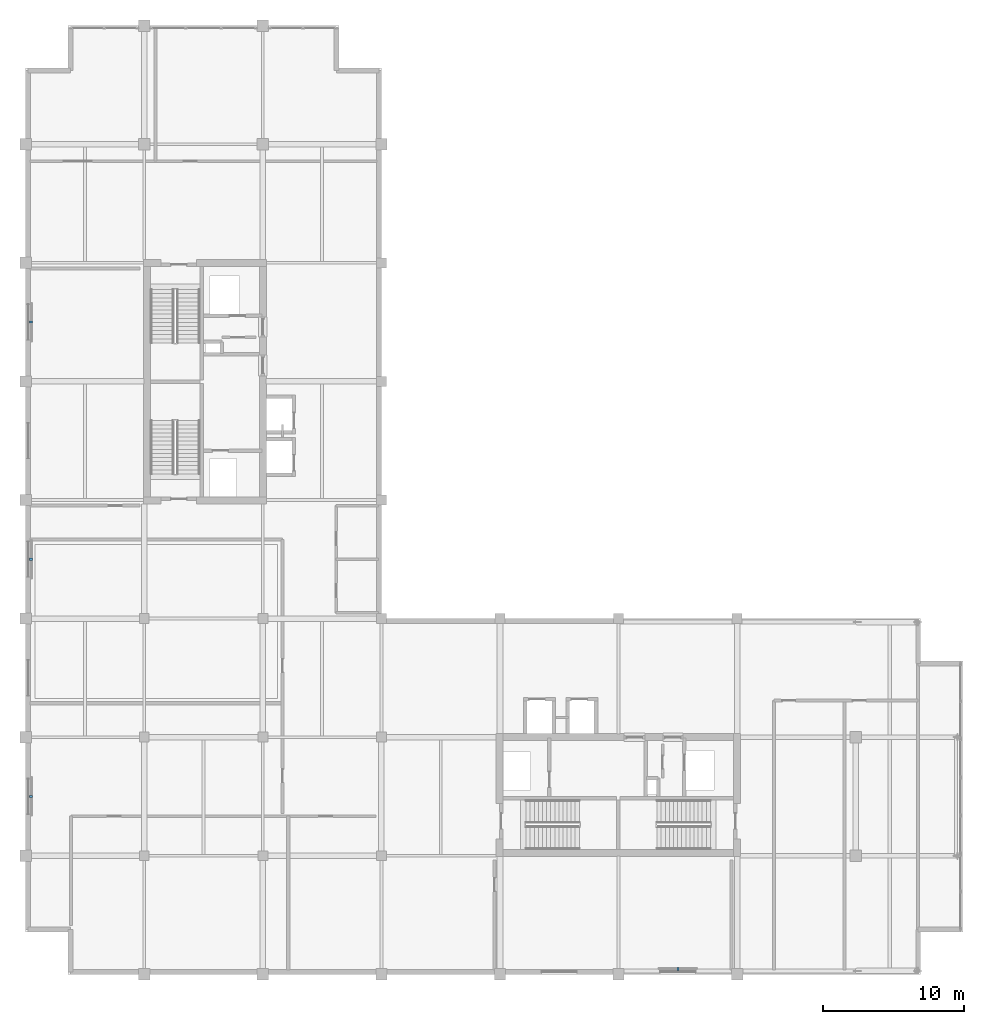
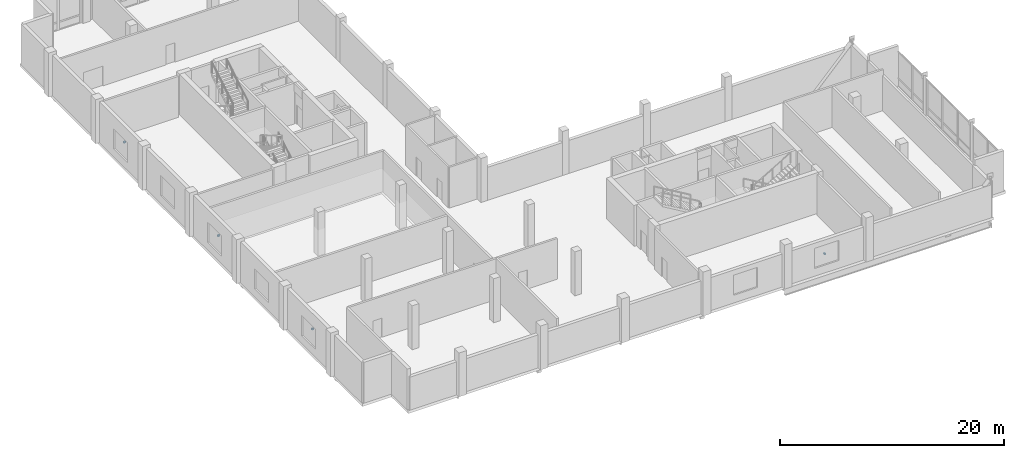
# One storey, part 15 of 18: 4 discrete accessories.
"""IFC4 building model written with IfcOpenShell, lengths in metres."""

from ifc_helpers import new_model, si_unit, direction, frame, origin, origin_2d, place, context, subcontext, project, spatial, rectangle, extrude, material, type_object, element, save


model = new_model("IFC4")

# Units and contexts
model_context = context("Model", 3, precision=1e-05, world=origin(), true_north=direction((0.0, 1.0)))
body_context = subcontext(model_context, "Body", "Model", "MODEL_VIEW")
ifc_project = project(units=[si_unit("LENGTHUNIT", "METRE"), si_unit("AREAUNIT", "SQUARE_METRE"), si_unit("VOLUMEUNIT", "CUBIC_METRE"), si_unit("PLANEANGLEUNIT", "RADIAN"), si_unit("MASSUNIT", "GRAM", prefix="KILO")], contexts=[model_context])

# Site, building, storey
site_placement = place(None, origin())
site = spatial("IfcSite", under=ifc_project, at=site_placement, CompositionType="ELEMENT")
building_placement = place(site_placement, origin())
building = spatial("IfcBuilding", under=site, at=building_placement, Name="Koriwani Terraces Tower", CompositionType="ELEMENT")
storey_placement = place(building_placement, frame((0.0, 0.0, 363.800048828125)))
storey = spatial("IfcBuildingStorey", under=building, at=storey_placement, Name="L90", CompositionType="ELEMENT", Elevation=363.800048828125)

# Discrete accessories
ifc_material = material(Name="Steel ASTM A572 Grade 50", Category="steel")
discrete_accessory_type = type_object("IfcDiscreteAccessoryType", Name="BAGUETTE_STANDOFF_BRACKET", PredefinedType="BRACKET", material=ifc_material)
for number, where, z_axis, x_axis, name in (
    (1, (8.7900390625, 21.0, 2.134765625), (0.0, 0.0, 1.0), (0.0, 1.0, 0.0), "L90 Terracotta Baguette Bracket (W-3)"),
    (2, (8.7900390625, 37.800048828125, 2.134765625), (0.0, 0.0, 1.0), (0.0, 1.0, 0.0), "L90 Terracotta Baguette Bracket (W-9)"),
    (3, (8.7900390625, 54.60009765625, 2.134765625), (0.0, 0.0, 1.0), (0.0, 1.0, 0.0), "L90 Terracotta Baguette Bracket (W-15)"),
    (4, (54.60009765625, 8.7900390625, 1.70947265625), (0.0, 0.0, 1.0), (-1.0, 0.0, 0.0), "L90 Terracotta Baguette Bracket (S-15)"),
):
    element("IfcDiscreteAccessory", number, at=place(storey_placement, frame(where, z_axis=z_axis, x_axis=x_axis)), inside=storey, type_object=discrete_accessory_type, Name=name, PredefinedType="BRACKET", context=body_context, shape_type="SweptSolid", body=[
        extrude(rectangle(XDim=0.159912109375, YDim=0.199951171875, at=origin_2d()), origin(), (0.0, 0.0, 1.0), 0.179931640625),
    ])

save(model, "model.ifc")
